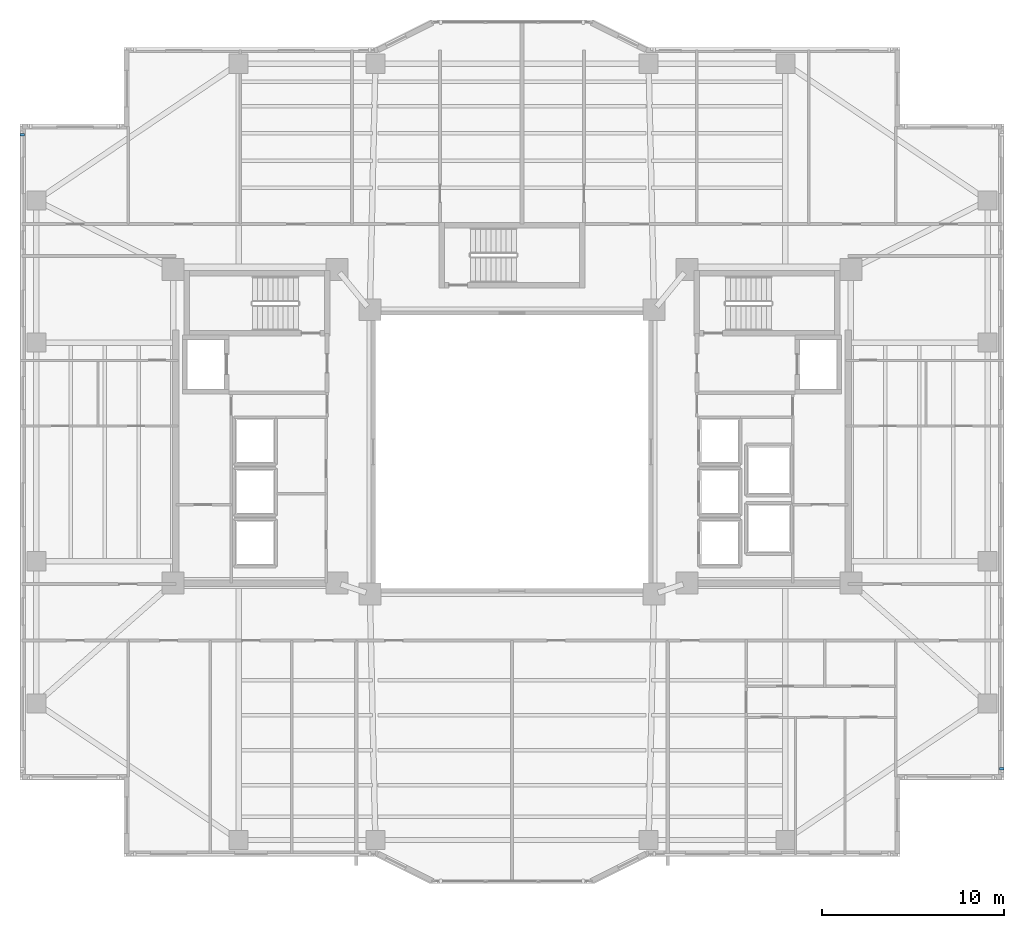
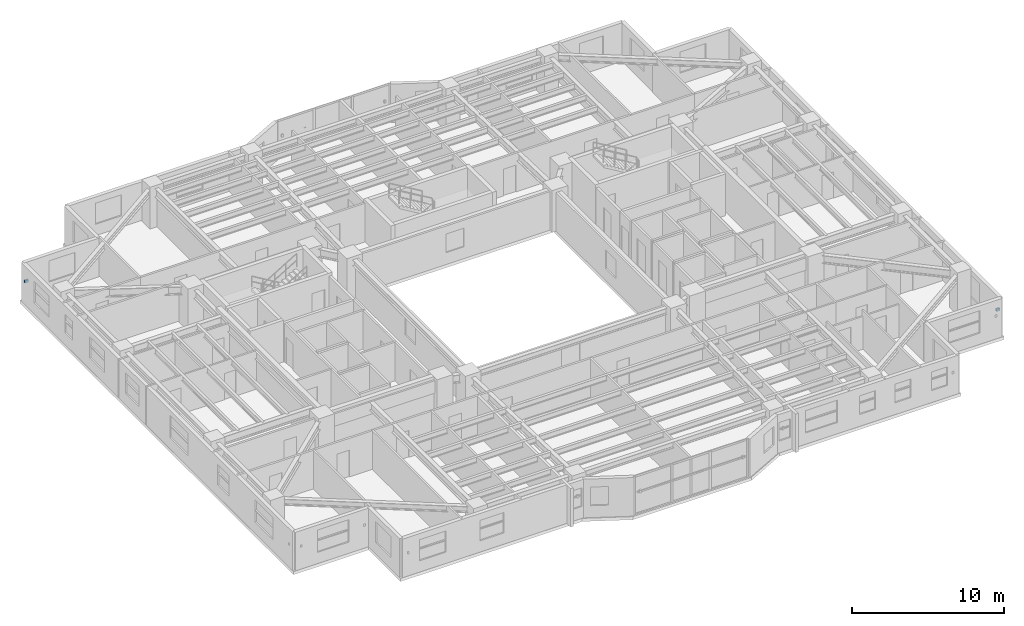
# One storey, part 12 of 18: 2 discrete accessories.
"""IFC4 building model written with IfcOpenShell, lengths in metres."""

import ifcopenshell
import ifcopenshell.guid

model = None  # the IFC model being written
_history = None  # IfcOwnerHistory: only IFC2X3 demands one
_inside = {}  # id of a spatial element -> (the spatial element, [elements in it])
_under = {}  # id of a project, library or spatial element -> (it, [spatial elements below it])
_declared = {}  # id of a project -> (the project, [libraries it declares])
_typed = {}  # id of a type object -> (the type object, [elements of that type])
_made_of = {}  # id of a material, layer set ... -> (it, [elements and type objects made of it])


def new_model(schema):
    """Start an empty IFC model of exactly this schema.

    Asked for "IFC4X3", IfcOpenShell would pick the latest addendum, in which some entities
    have other attributes; the version numbers below select the first issue.
    IFC2X3 requires an IfcOwnerHistory on every rooted entity: one is made here for all.
    """
    global model, _history
    if schema == "IFC4X3":
        model = ifcopenshell.file(schema_version=(4, 3, 0, 0))
    else:
        model = ifcopenshell.file(schema=schema)
    _inside.clear()
    _under.clear()
    _declared.clear()
    _typed.clear()
    _made_of.clear()
    _history = None
    if model.schema == "IFC2X3":
        org = make("IfcOrganization", Name="unknown")
        user = make(
            "IfcPersonAndOrganization",
            ThePerson=make("IfcPerson", FamilyName="unknown"),
            TheOrganization=org,
        )
        app = make(
            "IfcApplication",
            ApplicationDeveloper=org,
            Version="unknown",
            ApplicationFullName="unknown",
            ApplicationIdentifier="unknown",
        )
        _history = make(
            "IfcOwnerHistory",
            OwningUser=user,
            OwningApplication=app,
            ChangeAction="ADDED",
            CreationDate=0,
        )
    return model


def make(cls, **values):
    """One entity of the class cls with the attributes given. An attribute that is None is left unset."""
    return model.create_entity(
        cls, **{name: value for name, value in values.items() if value is not None}
    )


def rooted(cls, **values):
    """An entity with a GlobalId (a new one), such as an element, a storey or a relation."""
    return make(cls, GlobalId=ifcopenshell.guid.new(), OwnerHistory=_history, **values)


def si_unit(unit_type, name, prefix=None):
    """IfcSIUnit, for example si_unit("LENGTHUNIT", "METRE", prefix="MILLI")."""
    return make("IfcSIUnit", UnitType=unit_type, Prefix=prefix, Name=name)


def assignment(units):
    """IfcUnitAssignment: the units of a project."""
    return None if units is None else make("IfcUnitAssignment", Units=units)


def point(xyz):
    """IfcCartesianPoint."""
    return None if xyz is None else make("IfcCartesianPoint", Coordinates=xyz)


def direction(xyz):
    """IfcDirection."""
    return None if xyz is None else make("IfcDirection", DirectionRatios=xyz)


def frame(location, z_axis=None, x_axis=None):
    """IfcAxis2Placement3D, a coordinate frame: its origin and axes. An axis left out is left unset."""
    return make(
        "IfcAxis2Placement3D",
        Location=point(location),
        Axis=direction(z_axis),
        RefDirection=direction(x_axis),
    )


def frame_2d(location, x_axis=None):
    """IfcAxis2Placement2D, a coordinate frame in the plane: its origin and x axis."""
    return make(
        "IfcAxis2Placement2D", Location=point(location), RefDirection=direction(x_axis)
    )


def origin():
    """The frame at (0, 0, 0) with its axes left unset."""
    return frame((0.0, 0.0, 0.0))


def origin_2d():
    """The frame at (0, 0) in the plane with its x axis left unset."""
    return frame_2d((0.0, 0.0))


def place(relative_to, where):
    """IfcLocalPlacement: puts the frame where relative to a parent placement (None: the world)."""
    return make(
        "IfcLocalPlacement", PlacementRelTo=relative_to, RelativePlacement=where
    )


def context(
    kind, dimensions, precision=None, world=None, true_north=None, identifier=None
):
    """IfcGeometricRepresentationContext, for example the 3D "Model" context."""
    return make(
        "IfcGeometricRepresentationContext",
        ContextIdentifier=identifier,
        ContextType=kind,
        CoordinateSpaceDimension=dimensions,
        Precision=precision,
        WorldCoordinateSystem=world,
        TrueNorth=true_north,
    )


def subcontext(parent, identifier, kind, view, scale=None):
    """IfcGeometricRepresentationSubContext, for example "Body" below "Model"."""
    return make(
        "IfcGeometricRepresentationSubContext",
        ContextIdentifier=identifier,
        ContextType=kind,
        ParentContext=parent,
        TargetScale=scale,
        TargetView=view,
    )


def project(units=None, contexts=None):
    """IfcProject with its units and contexts."""
    return rooted(
        "IfcProject",
        Name="project",
        RepresentationContexts=contexts,
        UnitsInContext=assignment(units),
    )


def spatial(cls, under=None, at=None, **own):
    """A site, building, storey or space (cls), placed at a placement, below another one or the project."""
    s = rooted(cls, ObjectPlacement=at, **own)
    if under is not None:
        _under.setdefault(under.id(), (under, []))[1].append(s)
    return s


def profile(cls, at=None, kind="AREA", **sizes):
    """A parametric profile (cls). Its sizes go by their IFC names, for example OverallWidth=200.0."""
    return make(cls, ProfileType=kind, Position=at, **sizes)


def rectangle(**sizes):
    """IfcRectangleProfileDef."""
    return profile("IfcRectangleProfileDef", **sizes)


def extrude(swept, where, along, depth):
    """IfcExtrudedAreaSolid: the profile swept, set in the frame where, extruded along a direction by depth."""
    return make(
        "IfcExtrudedAreaSolid",
        SweptArea=swept,
        Position=where,
        ExtrudedDirection=direction(along),
        Depth=depth,
    )


def shape(context_of_items, identifier, shape_type, items):
    """IfcShapeRepresentation: the items that make up one representation, for example the "Body"."""
    return make(
        "IfcShapeRepresentation",
        ContextOfItems=context_of_items,
        RepresentationIdentifier=identifier,
        RepresentationType=shape_type,
        Items=items,
    )


def material(Name=None, Category=None):
    """IfcMaterial."""
    return make("IfcMaterial", Name=Name, Category=Category)


def made_of(thing, what):
    """Note that an element or type object is made of a material, layer set ...; save() writes the relation."""
    if what is not None:
        _made_of.setdefault(what.id(), (what, []))[1].append(thing)
    return thing


def type_object(cls, material=None, **own):
    """A type object (cls), such as IfcWallType, which elements share."""
    return made_of(rooted(cls, **own), material)


def element(
    cls,
    number,
    at=None,
    inside=None,
    cuts=None,
    type_object=None,
    material=None,
    context=None,
    identifier="Body",
    shape_type=None,
    held_by="IfcProductDefinitionShape",
    body=None,
    shapes=None,
    **own,
):
    """One element of the class cls, such as IfcWall. Its Tag is "e" and its number.

    at: its placement. inside: the storey or other place that contains it. cuts: it is an
    opening in that element (IfcRelVoidsElement). A single representation is given by context,
    identifier, shape_type and body (its items); several are given by shapes. held_by: the class
    of the entity that holds the representations. save() writes the other relations.
    """
    e = rooted(cls, Tag="e%d" % number, ObjectPlacement=at, **own)
    if body is not None:
        shapes = [shape(context, identifier, shape_type, body)]
    if shapes is not None:
        e.Representation = make(held_by, Representations=shapes)
    if inside is not None:
        _inside.setdefault(inside.id(), (inside, []))[1].append(e)
    if cuts is not None:
        rooted(
            "IfcRelVoidsElement", RelatingBuildingElement=cuts, RelatedOpeningElement=e
        )
    if type_object is not None:
        _typed.setdefault(type_object.id(), (type_object, []))[1].append(e)
    return made_of(e, material)


def aggregate(whole, parts):
    """IfcRelAggregates: a whole, such as a stair, and the parts it consists of."""
    return rooted("IfcRelAggregates", RelatingObject=whole, RelatedObjects=parts)


def save(model, path):
    """Write the relations noted so far, then the file.

    IfcRelAggregates (storeys below a building ...), IfcRelContainedInSpatialStructure (elements
    in a storey), IfcRelDefinesByType, IfcRelAssociatesMaterial and IfcRelDeclares: one each for
    every whole, place, type object, material and project.
    """
    for whole, parts in _under.values():
        aggregate(whole, parts)
    for where, things in _inside.values():
        rooted(
            "IfcRelContainedInSpatialStructure",
            RelatedElements=things,
            RelatingStructure=where,
        )
    for kind, things in _typed.values():
        rooted("IfcRelDefinesByType", RelatedObjects=things, RelatingType=kind)
    for what, things in _made_of.values():
        rooted("IfcRelAssociatesMaterial", RelatedObjects=things, RelatingMaterial=what)
    for by, libraries in _declared.values():
        rooted("IfcRelDeclares", RelatingContext=by, RelatedDefinitions=libraries)
    model.write(path)


model = new_model("IFC4")

# Units and contexts
model_context = context("Model", 3, precision=1e-05, world=origin(), true_north=direction((0.0, 1.0)))
body_context = subcontext(model_context, "Body", "Model", "MODEL_VIEW")
ifc_project = project(units=[si_unit("LENGTHUNIT", "METRE"), si_unit("AREAUNIT", "SQUARE_METRE"), si_unit("VOLUMEUNIT", "CUBIC_METRE"), si_unit("PLANEANGLEUNIT", "RADIAN"), si_unit("MASSUNIT", "GRAM", prefix="KILO")], contexts=[model_context])

# Site, building, storey
site_placement = place(None, origin())
site = spatial("IfcSite", under=ifc_project, at=site_placement, CompositionType="ELEMENT")
building_placement = place(site_placement, origin())
building = spatial("IfcBuilding", under=site, at=building_placement, Name="Tarnavaz Court Tower", CompositionType="ELEMENT")
storey_placement = place(building_placement, frame((0.0, 0.0, 105.10009765625)))
storey = spatial("IfcBuildingStorey", under=building, at=storey_placement, Name="L28", CompositionType="ELEMENT", Elevation=105.10009765625)

# Discrete accessories
ifc_material = material(Name="Anodised Aluminium 6063-T6", Category="aluminium")
discrete_accessory_type = type_object("IfcDiscreteAccessoryType", Name="DA-BRKT-ALU", PredefinedType="BRACKET", material=ifc_material)
for number, where, z_axis, x_axis, name in (
    (1, (-26.8701171875, 17.39990234375, 1.75), (0.0, 0.0, 1.0), (0.0, 1.0, 0.0), "L28 Baguette Outrigger Bracket FBG02-2"),
    (2, (26.8701171875, -17.39990234375, 1.75), (0.0, 0.0, 1.0), (0.0, -1.0, 0.0), "L28 Baguette Outrigger Bracket FBG12-2"),
):
    element("IfcDiscreteAccessory", number, at=place(storey_placement, frame(where, z_axis=z_axis, x_axis=x_axis)), inside=storey, type_object=discrete_accessory_type, Name=name, PredefinedType="BRACKET", context=body_context, shape_type="SweptSolid", body=[
        extrude(rectangle(XDim=0.139892578125, YDim=0.239990234375, at=origin_2d()), origin(), (0.0, 0.0, 1.0), 0.199951171875),
    ])

save(model, "model.ifc")
